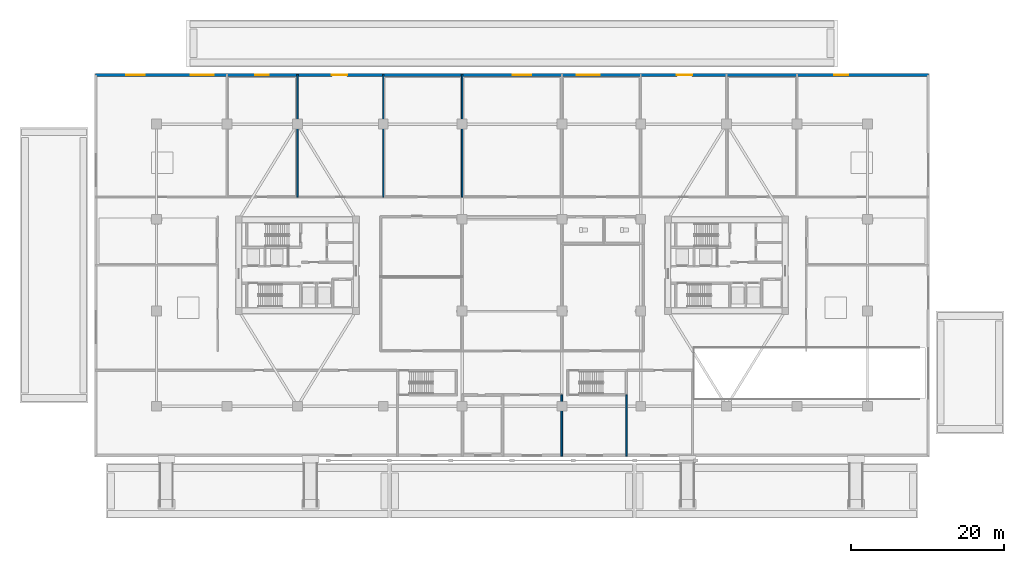
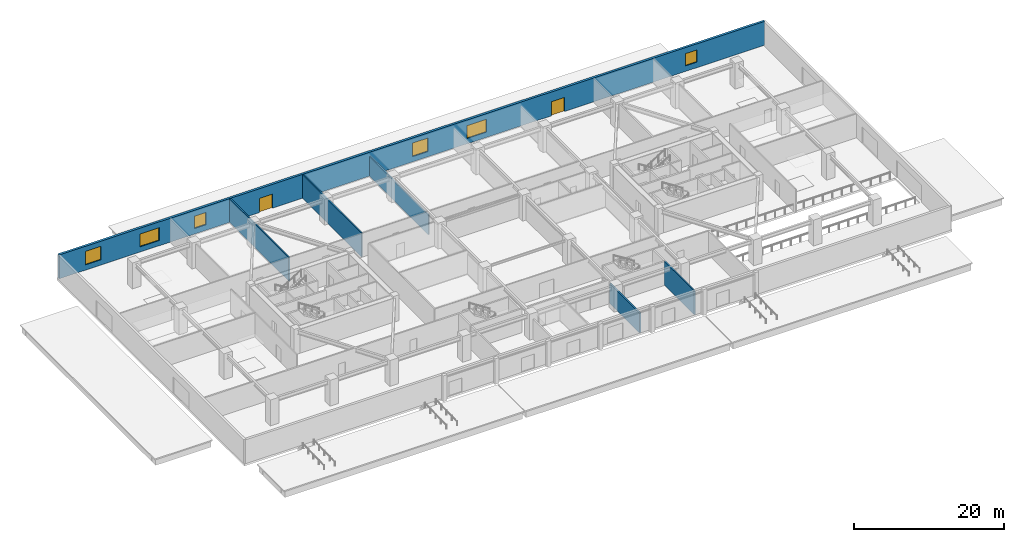
# One storey, part 9 of 22: 6 walls, 6 windows, 2 doors, 8 openings.
"""IFC4 building model written with IfcOpenShell, lengths in metres."""

import ifcopenshell
import ifcopenshell.guid

model = None  # the IFC model being written
_history = None  # IfcOwnerHistory: only IFC2X3 demands one
_inside = {}  # id of a spatial element -> (the spatial element, [elements in it])
_under = {}  # id of a project, library or spatial element -> (it, [spatial elements below it])
_declared = {}  # id of a project -> (the project, [libraries it declares])
_typed = {}  # id of a type object -> (the type object, [elements of that type])
_made_of = {}  # id of a material, layer set ... -> (it, [elements and type objects made of it])


def new_model(schema):
    """Start an empty IFC model of exactly this schema.

    Asked for "IFC4X3", IfcOpenShell would pick the latest addendum, in which some entities
    have other attributes; the version numbers below select the first issue.
    IFC2X3 requires an IfcOwnerHistory on every rooted entity: one is made here for all.
    """
    global model, _history
    if schema == "IFC4X3":
        model = ifcopenshell.file(schema_version=(4, 3, 0, 0))
    else:
        model = ifcopenshell.file(schema=schema)
    _inside.clear()
    _under.clear()
    _declared.clear()
    _typed.clear()
    _made_of.clear()
    _history = None
    if model.schema == "IFC2X3":
        org = make("IfcOrganization", Name="unknown")
        user = make(
            "IfcPersonAndOrganization",
            ThePerson=make("IfcPerson", FamilyName="unknown"),
            TheOrganization=org,
        )
        app = make(
            "IfcApplication",
            ApplicationDeveloper=org,
            Version="unknown",
            ApplicationFullName="unknown",
            ApplicationIdentifier="unknown",
        )
        _history = make(
            "IfcOwnerHistory",
            OwningUser=user,
            OwningApplication=app,
            ChangeAction="ADDED",
            CreationDate=0,
        )
    return model


def make(cls, **values):
    """One entity of the class cls with the attributes given. An attribute that is None is left unset."""
    return model.create_entity(
        cls, **{name: value for name, value in values.items() if value is not None}
    )


def rooted(cls, **values):
    """An entity with a GlobalId (a new one), such as an element, a storey or a relation."""
    return make(cls, GlobalId=ifcopenshell.guid.new(), OwnerHistory=_history, **values)


def si_unit(unit_type, name, prefix=None):
    """IfcSIUnit, for example si_unit("LENGTHUNIT", "METRE", prefix="MILLI")."""
    return make("IfcSIUnit", UnitType=unit_type, Prefix=prefix, Name=name)


def assignment(units):
    """IfcUnitAssignment: the units of a project."""
    return None if units is None else make("IfcUnitAssignment", Units=units)


def point(xyz):
    """IfcCartesianPoint."""
    return None if xyz is None else make("IfcCartesianPoint", Coordinates=xyz)


def direction(xyz):
    """IfcDirection."""
    return None if xyz is None else make("IfcDirection", DirectionRatios=xyz)


def frame(location, z_axis=None, x_axis=None):
    """IfcAxis2Placement3D, a coordinate frame: its origin and axes. An axis left out is left unset."""
    return make(
        "IfcAxis2Placement3D",
        Location=point(location),
        Axis=direction(z_axis),
        RefDirection=direction(x_axis),
    )


def frame_2d(location, x_axis=None):
    """IfcAxis2Placement2D, a coordinate frame in the plane: its origin and x axis."""
    return make(
        "IfcAxis2Placement2D", Location=point(location), RefDirection=direction(x_axis)
    )


def origin():
    """The frame at (0, 0, 0) with its axes left unset."""
    return frame((0.0, 0.0, 0.0))


def place(relative_to, where):
    """IfcLocalPlacement: puts the frame where relative to a parent placement (None: the world)."""
    return make(
        "IfcLocalPlacement", PlacementRelTo=relative_to, RelativePlacement=where
    )


def context(
    kind, dimensions, precision=None, world=None, true_north=None, identifier=None
):
    """IfcGeometricRepresentationContext, for example the 3D "Model" context."""
    return make(
        "IfcGeometricRepresentationContext",
        ContextIdentifier=identifier,
        ContextType=kind,
        CoordinateSpaceDimension=dimensions,
        Precision=precision,
        WorldCoordinateSystem=world,
        TrueNorth=true_north,
    )


def subcontext(parent, identifier, kind, view, scale=None):
    """IfcGeometricRepresentationSubContext, for example "Body" below "Model"."""
    return make(
        "IfcGeometricRepresentationSubContext",
        ContextIdentifier=identifier,
        ContextType=kind,
        ParentContext=parent,
        TargetScale=scale,
        TargetView=view,
    )


def project(units=None, contexts=None):
    """IfcProject with its units and contexts."""
    return rooted(
        "IfcProject",
        Name="project",
        RepresentationContexts=contexts,
        UnitsInContext=assignment(units),
    )


def spatial(cls, under=None, at=None, **own):
    """A site, building, storey or space (cls), placed at a placement, below another one or the project."""
    s = rooted(cls, ObjectPlacement=at, **own)
    if under is not None:
        _under.setdefault(under.id(), (under, []))[1].append(s)
    return s


def profile(cls, at=None, kind="AREA", **sizes):
    """A parametric profile (cls). Its sizes go by their IFC names, for example OverallWidth=200.0."""
    return make(cls, ProfileType=kind, Position=at, **sizes)


def rectangle(**sizes):
    """IfcRectangleProfileDef."""
    return profile("IfcRectangleProfileDef", **sizes)


def extrude(swept, where, along, depth):
    """IfcExtrudedAreaSolid: the profile swept, set in the frame where, extruded along a direction by depth."""
    return make(
        "IfcExtrudedAreaSolid",
        SweptArea=swept,
        Position=where,
        ExtrudedDirection=direction(along),
        Depth=depth,
    )


def shape(context_of_items, identifier, shape_type, items):
    """IfcShapeRepresentation: the items that make up one representation, for example the "Body"."""
    return make(
        "IfcShapeRepresentation",
        ContextOfItems=context_of_items,
        RepresentationIdentifier=identifier,
        RepresentationType=shape_type,
        Items=items,
    )


def source(mapping_origin, context_of_items, identifier, shape_type, items):
    """IfcRepresentationMap: a shape defined once, which mapped items show again and again."""
    return make(
        "IfcRepresentationMap",
        MappingOrigin=mapping_origin,
        MappedRepresentation=shape(context_of_items, identifier, shape_type, items),
    )


def transform(
    local_origin,
    x_axis=None,
    y_axis=None,
    z_axis=None,
    scale=None,
    scale2=None,
    scale3=None,
    uniform=True,
):
    """IfcCartesianTransformationOperator3D, or its non-uniform kind. x_axis, y_axis, z_axis: its Axis1, 2, 3."""
    if uniform:
        return make(
            "IfcCartesianTransformationOperator3D",
            Axis1=direction(x_axis),
            Axis2=direction(y_axis),
            LocalOrigin=point(local_origin),
            Scale=scale,
            Axis3=direction(z_axis),
        )
    return make(
        "IfcCartesianTransformationOperator3DnonUniform",
        Axis1=direction(x_axis),
        Axis2=direction(y_axis),
        LocalOrigin=point(local_origin),
        Scale=scale,
        Axis3=direction(z_axis),
        Scale2=scale2,
        Scale3=scale3,
    )


def mapped(mapping_source, mapping_target):
    """IfcMappedItem: shows the shape of a source again, moved by a transform."""
    return make(
        "IfcMappedItem", MappingSource=mapping_source, MappingTarget=mapping_target
    )


def material(Name=None, Category=None):
    """IfcMaterial."""
    return make("IfcMaterial", Name=Name, Category=Category)


def layer(
    of_material, thickness, ventilated=None, Name=None, Category=None, Priority=None
):
    """IfcMaterialLayer: one layer of a wall or slab, of a material (None: an air gap)."""
    return make(
        "IfcMaterialLayer",
        Material=of_material,
        LayerThickness=thickness,
        IsVentilated=ventilated,
        Name=Name,
        Category=Category,
        Priority=Priority,
    )


def layer_set(layers, Name=None):
    """IfcMaterialLayerSet."""
    return make("IfcMaterialLayerSet", MaterialLayers=layers, LayerSetName=Name)


def made_of(thing, what):
    """Note that an element or type object is made of a material, layer set ...; save() writes the relation."""
    if what is not None:
        _made_of.setdefault(what.id(), (what, []))[1].append(thing)
    return thing


def type_object(cls, material=None, **own):
    """A type object (cls), such as IfcWallType, which elements share."""
    return made_of(rooted(cls, **own), material)


def type_shapes(of_type, sources):
    """Give a type object the sources (RepresentationMaps) that its elements show as mapped items."""
    of_type.RepresentationMaps = sources


def element(
    cls,
    number,
    at=None,
    inside=None,
    cuts=None,
    type_object=None,
    material=None,
    context=None,
    identifier="Body",
    shape_type=None,
    held_by="IfcProductDefinitionShape",
    body=None,
    shapes=None,
    **own,
):
    """One element of the class cls, such as IfcWall. Its Tag is "e" and its number.

    at: its placement. inside: the storey or other place that contains it. cuts: it is an
    opening in that element (IfcRelVoidsElement). A single representation is given by context,
    identifier, shape_type and body (its items); several are given by shapes. held_by: the class
    of the entity that holds the representations. save() writes the other relations.
    """
    e = rooted(cls, Tag="e%d" % number, ObjectPlacement=at, **own)
    if body is not None:
        shapes = [shape(context, identifier, shape_type, body)]
    if shapes is not None:
        e.Representation = make(held_by, Representations=shapes)
    if inside is not None:
        _inside.setdefault(inside.id(), (inside, []))[1].append(e)
    if cuts is not None:
        rooted(
            "IfcRelVoidsElement", RelatingBuildingElement=cuts, RelatedOpeningElement=e
        )
    if type_object is not None:
        _typed.setdefault(type_object.id(), (type_object, []))[1].append(e)
    return made_of(e, material)


def fill(opening, filler):
    """IfcRelFillsElement: the door or window that sits in an opening."""
    return rooted(
        "IfcRelFillsElement",
        RelatingOpeningElement=opening,
        RelatedBuildingElement=filler,
    )


def aggregate(whole, parts):
    """IfcRelAggregates: a whole, such as a stair, and the parts it consists of."""
    return rooted("IfcRelAggregates", RelatingObject=whole, RelatedObjects=parts)


def save(model, path):
    """Write the relations noted so far, then the file.

    IfcRelAggregates (storeys below a building ...), IfcRelContainedInSpatialStructure (elements
    in a storey), IfcRelDefinesByType, IfcRelAssociatesMaterial and IfcRelDeclares: one each for
    every whole, place, type object, material and project.
    """
    for whole, parts in _under.values():
        aggregate(whole, parts)
    for where, things in _inside.values():
        rooted(
            "IfcRelContainedInSpatialStructure",
            RelatedElements=things,
            RelatingStructure=where,
        )
    for kind, things in _typed.values():
        rooted("IfcRelDefinesByType", RelatedObjects=things, RelatingType=kind)
    for what, things in _made_of.values():
        rooted("IfcRelAssociatesMaterial", RelatedObjects=things, RelatingMaterial=what)
    for by, libraries in _declared.values():
        rooted("IfcRelDeclares", RelatingContext=by, RelatedDefinitions=libraries)
    model.write(path)


model = new_model("IFC4")

# Units and contexts
model_context = context("Model", 3, precision=1e-05, world=origin(), true_north=direction((0.0, 1.0)))
body_context = subcontext(model_context, "Body", "Model", "MODEL_VIEW")
ifc_project = project(units=[si_unit("LENGTHUNIT", "METRE"), si_unit("AREAUNIT", "SQUARE_METRE"), si_unit("VOLUMEUNIT", "CUBIC_METRE"), si_unit("PLANEANGLEUNIT", "RADIAN"), si_unit("MASSUNIT", "GRAM", prefix="KILO")], contexts=[model_context])

# Site, building, storey
site_placement = place(None, origin())
site = spatial("IfcSite", under=ifc_project, at=site_placement, CompositionType="ELEMENT")
building_placement = place(site_placement, origin())
building = spatial("IfcBuilding", under=site, at=building_placement, Name="Norrkilde Senior Care Towers", CompositionType="ELEMENT")
storey_placement = place(building_placement, origin())
storey = spatial("IfcBuildingStorey", under=building, at=storey_placement, Name="L00", CompositionType="ELEMENT", Elevation=0.0)

# Wall, openings, doors, windows
ifc_material_1 = material(Name="Precast concrete C45/55", Category="concrete")
ifc_layer_1 = layer(ifc_material_1, 0.360107421875)
ifc_layer_set_1 = layer_set([ifc_layer_1], Name="Precast concrete C45/55")
wall_type_1 = type_object("IfcWallType", Name="Podium Facade Wall 360", PredefinedType="SOLIDWALL", material=ifc_layer_set_1)
shared_shape_1 = source(origin(), body_context, "Body", "SweptSolid", [
    extrude(rectangle(XDim=108.64013671875, YDim=0.360107421875, at=frame_2d((54.320068359375, 0.0))), origin(), (0.0, 0.0, 1.0), 3.8798828125),
])
type_shapes(wall_type_1, [shared_shape_1])
wall_1_placement = place(storey_placement, frame((-54.320068359375, 24.820068359375, 0.0), z_axis=(0.0, 0.0, 1.0), x_axis=(1.0, 0.0, 0.0)))
wall_1 = element("IfcWall", 1, at=wall_1_placement, inside=storey, type_object=wall_type_1, Name="L00 Podium N Facade Wall", PredefinedType="SOLIDWALL", context=body_context, shape_type="MappedRepresentation", body=[
    mapped(shared_shape_1, transform((0.0, 0.0, 0.0), x_axis=(1.0, 0.0, 0.0), y_axis=(0.0, 1.0, 0.0), z_axis=(0.0, 0.0, 1.0), scale=1.0)),
])
opening_1_placement = place(wall_1_placement, frame((30.820068359375, 0.0, 0.0)))
opening_1 = element("IfcOpeningElement", 2, at=opening_1_placement, cuts=wall_1, Name="Opening D-02", PredefinedType="OPENING", context=body_context, shape_type="SweptSolid", body=[
    extrude(rectangle(XDim=2.0, YDim=2.300048828125, at=frame_2d((1.0, 1.14990234375))), frame((0.0, 0.18994140625, 0.0), z_axis=(0.0, -1.0, 0.0), x_axis=(1.0, 0.0, 0.0)), (0.0, 0.0, 1.0), 0.380126953125),
])
opening_2_placement = place(wall_1_placement, frame((75.820068359375, 0.0, 0.0)))
opening_2 = element("IfcOpeningElement", 3, at=opening_2_placement, cuts=wall_1, Name="Opening D-02", PredefinedType="OPENING", context=body_context, shape_type="SweptSolid", body=[
    extrude(rectangle(XDim=2.0, YDim=2.300048828125, at=frame_2d((1.0, 1.14990234375))), frame((0.0, 0.18994140625, 0.0), z_axis=(0.0, -1.0, 0.0), x_axis=(1.0, 0.0, 0.0)), (0.0, 0.0, 1.0), 0.380126953125),
])
opening_3_placement = place(wall_1_placement, frame((4.0, 0.0, 0.85009765625)))
opening_3 = element("IfcOpeningElement", 4, at=opening_3_placement, cuts=wall_1, Name="Opening WN-01", PredefinedType="OPENING", context=body_context, shape_type="SweptSolid", body=[
    extrude(rectangle(XDim=2.39990234375, YDim=2.199951171875, at=frame_2d((1.199951171875, 1.10009765625))), frame((0.0, 0.18994140625, 0.0), z_axis=(0.0, -1.0, 0.0), x_axis=(1.0, 0.0, 0.0)), (0.0, 0.0, 1.0), 0.380126953125),
])
opening_4_placement = place(wall_1_placement, frame((12.39990234375, 0.0, 0.85009765625)))
opening_4 = element("IfcOpeningElement", 5, at=opening_4_placement, cuts=wall_1, Name="Opening WN-02", PredefinedType="OPENING", context=body_context, shape_type="SweptSolid", body=[
    extrude(rectangle(XDim=3.0, YDim=2.10009765625, at=frame_2d((1.5, 1.050048828125))), frame((0.0, 0.18994140625, 0.0), z_axis=(0.0, -1.0, 0.0), x_axis=(1.0, 0.0, 0.0)), (0.0, 0.0, 1.0), 0.380126953125),
])
opening_5_placement = place(wall_1_placement, frame((20.800048828125, 0.0, 0.89990234375)))
opening_5 = element("IfcOpeningElement", 6, at=opening_5_placement, cuts=wall_1, Name="Opening WN-03", PredefinedType="OPENING", context=body_context, shape_type="SweptSolid", body=[
    extrude(rectangle(XDim=1.800048828125, YDim=2.0, at=frame_2d((0.89990234375, 1.0))), frame((0.0, 0.18994140625, 0.0), z_axis=(0.0, -1.0, 0.0), x_axis=(1.0, 0.0, 0.0)), (0.0, 0.0, 1.0), 0.380126953125),
])
opening_6_placement = place(wall_1_placement, frame((54.39990234375, 0.0, 0.85009765625)))
opening_6 = element("IfcOpeningElement", 7, at=opening_6_placement, cuts=wall_1, Name="Opening WN-01", PredefinedType="OPENING", context=body_context, shape_type="SweptSolid", body=[
    extrude(rectangle(XDim=2.39990234375, YDim=2.199951171875, at=frame_2d((1.199951171875, 1.10009765625))), frame((0.0, 0.18994140625, 0.0), z_axis=(0.0, -1.0, 0.0), x_axis=(1.0, 0.0, 0.0)), (0.0, 0.0, 1.0), 0.380126953125),
])
opening_7_placement = place(wall_1_placement, frame((62.800048828125, 0.0, 0.85009765625)))
opening_7 = element("IfcOpeningElement", 8, at=opening_7_placement, cuts=wall_1, Name="Opening WN-02", PredefinedType="OPENING", context=body_context, shape_type="SweptSolid", body=[
    extrude(rectangle(XDim=3.0, YDim=2.10009765625, at=frame_2d((1.5, 1.050048828125))), frame((0.0, 0.18994140625, 0.0), z_axis=(0.0, -1.0, 0.0), x_axis=(1.0, 0.0, 0.0)), (0.0, 0.0, 1.0), 0.380126953125),
])
opening_8_placement = place(wall_1_placement, frame((96.39990234375, 0.0, 0.89990234375)))
opening_8 = element("IfcOpeningElement", 9, at=opening_8_placement, cuts=wall_1, Name="Opening WN-03", PredefinedType="OPENING", context=body_context, shape_type="SweptSolid", body=[
    extrude(rectangle(XDim=1.800048828125, YDim=2.0, at=frame_2d((0.89990234375, 1.0))), frame((0.0, 0.18994140625, 0.0), z_axis=(0.0, -1.0, 0.0), x_axis=(1.0, 0.0, 0.0)), (0.0, 0.0, 1.0), 0.380126953125),
])
ifc_material_2 = material(Name="Galvanised Painted Steel", Category="steel")
door_type = type_object("IfcDoorType", Name="Final Exit Discharge Double Door 2000x2300", OperationType="NOTDEFINED", PredefinedType="DOOR", material=ifc_material_2)
shared_shape_2 = source(origin(), body_context, "Body", "SweptSolid", [
    extrude(rectangle(XDim=2.0, YDim=2.300048828125, at=frame_2d((1.0, 1.14990234375))), frame((0.0, 0.02490234375, 0.0), z_axis=(0.0, -1.0, 0.0), x_axis=(1.0, 0.0, 0.0)), (0.0, 0.0, 1.0), 0.050048828125),
])
type_shapes(door_type, [shared_shape_2])
door_1_placement = place(opening_1_placement, origin())
door_1 = element("IfcDoor", 10, at=door_1_placement, inside=storey, type_object=door_type, Name="L00 North Final Exit Door NW", OperationType="DOUBLE_DOOR_SINGLE_SWING", OverallHeight=2.300048828125, OverallWidth=2.0, PredefinedType="DOOR", context=body_context, shape_type="MappedRepresentation", body=[
    mapped(shared_shape_2, transform((0.0, 0.0, 0.0), x_axis=(1.0, 0.0, 0.0), y_axis=(0.0, 1.0, 0.0), z_axis=(0.0, 0.0, 1.0), scale=1.0)),
])
fill(opening_1, door_1)
door_2_placement = place(opening_2_placement, origin())
door_2 = element("IfcDoor", 11, at=door_2_placement, inside=storey, type_object=door_type, Name="L00 North Final Exit Door NE", OperationType="DOUBLE_DOOR_SINGLE_SWING", OverallHeight=2.300048828125, OverallWidth=2.0, PredefinedType="DOOR", context=body_context, shape_type="MappedRepresentation", body=[
    mapped(shared_shape_2, transform((0.0, 0.0, 0.0), x_axis=(1.0, 0.0, 0.0), y_axis=(0.0, 1.0, 0.0), z_axis=(0.0, 0.0, 1.0), scale=1.0)),
])
fill(opening_2, door_2)
ifc_material_3 = material(Name="Triple Low-E Insulated Glazing", Category="glass")
window_type_1 = type_object("IfcWindowType", Name="Podium Clinic Triple Window 2400x2200", PartitioningType="SINGLE_PANEL", PredefinedType="WINDOW", material=ifc_material_3)
shared_shape_3 = source(origin(), body_context, "Body", "SweptSolid", [
    extrude(rectangle(XDim=2.39990234375, YDim=2.199951171875, at=frame_2d((1.199951171875, 1.10009765625))), frame((0.0, 0.030029296875, 0.0), z_axis=(0.0, -1.0, 0.0), x_axis=(1.0, 0.0, 0.0)), (0.0, 0.0, 1.0), 0.06005859375),
])
type_shapes(window_type_1, [shared_shape_3])
window_1_placement = place(opening_3_placement, origin())
window_1 = element("IfcWindow", 12, at=window_1_placement, inside=storey, type_object=window_type_1, Name="L00 N Window 01", OverallHeight=2.199951171875, OverallWidth=2.39990234375, PartitioningType="SINGLE_PANEL", PredefinedType="WINDOW", context=body_context, shape_type="MappedRepresentation", body=[
    mapped(shared_shape_3, transform((0.0, 0.0, 0.0), x_axis=(1.0, 0.0, 0.0), y_axis=(0.0, 1.0, 0.0), z_axis=(0.0, 0.0, 1.0), scale=1.0)),
])
fill(opening_3, window_1)
window_2_placement = place(opening_6_placement, origin())
window_2 = element("IfcWindow", 13, at=window_2_placement, inside=storey, type_object=window_type_1, Name="L00 N Window 07", OverallHeight=2.199951171875, OverallWidth=2.39990234375, PartitioningType="SINGLE_PANEL", PredefinedType="WINDOW", context=body_context, shape_type="MappedRepresentation", body=[
    mapped(shared_shape_3, transform((0.0, 0.0, 0.0), x_axis=(1.0, 0.0, 0.0), y_axis=(0.0, 1.0, 0.0), z_axis=(0.0, 0.0, 1.0), scale=1.0)),
])
fill(opening_6, window_2)
window_type_2 = type_object("IfcWindowType", Name="Podium Rehab Ribbon Window 3000x2100", PartitioningType="SINGLE_PANEL", PredefinedType="WINDOW", material=ifc_material_3)
shared_shape_4 = source(origin(), body_context, "Body", "SweptSolid", [
    extrude(rectangle(XDim=3.0, YDim=2.10009765625, at=frame_2d((1.5, 1.050048828125))), frame((0.0, 0.030029296875, 0.0), z_axis=(0.0, -1.0, 0.0), x_axis=(1.0, 0.0, 0.0)), (0.0, 0.0, 1.0), 0.06005859375),
])
type_shapes(window_type_2, [shared_shape_4])
window_3_placement = place(opening_4_placement, origin())
window_3 = element("IfcWindow", 14, at=window_3_placement, inside=storey, type_object=window_type_2, Name="L00 N Window 02", OverallHeight=2.10009765625, OverallWidth=3.0, PartitioningType="SINGLE_PANEL", PredefinedType="WINDOW", context=body_context, shape_type="MappedRepresentation", body=[
    mapped(shared_shape_4, transform((0.0, 0.0, 0.0), x_axis=(1.0, 0.0, 0.0), y_axis=(0.0, 1.0, 0.0), z_axis=(0.0, 0.0, 1.0), scale=1.0)),
])
fill(opening_4, window_3)
window_4_placement = place(opening_7_placement, origin())
window_4 = element("IfcWindow", 15, at=window_4_placement, inside=storey, type_object=window_type_2, Name="L00 N Window 08", OverallHeight=2.10009765625, OverallWidth=3.0, PartitioningType="SINGLE_PANEL", PredefinedType="WINDOW", context=body_context, shape_type="MappedRepresentation", body=[
    mapped(shared_shape_4, transform((0.0, 0.0, 0.0), x_axis=(1.0, 0.0, 0.0), y_axis=(0.0, 1.0, 0.0), z_axis=(0.0, 0.0, 1.0), scale=1.0)),
])
fill(opening_7, window_4)
window_type_3 = type_object("IfcWindowType", Name="Podium Therapy Garden Window 1800x2000", PartitioningType="SINGLE_PANEL", PredefinedType="WINDOW", material=ifc_material_3)
shared_shape_5 = source(origin(), body_context, "Body", "SweptSolid", [
    extrude(rectangle(XDim=1.800048828125, YDim=2.0, at=frame_2d((0.89990234375, 1.0))), frame((0.0, 0.030029296875, 0.0), z_axis=(0.0, -1.0, 0.0), x_axis=(1.0, 0.0, 0.0)), (0.0, 0.0, 1.0), 0.06005859375),
])
type_shapes(window_type_3, [shared_shape_5])
window_5_placement = place(opening_5_placement, origin())
window_5 = element("IfcWindow", 16, at=window_5_placement, inside=storey, type_object=window_type_3, Name="L00 N Window 03", OverallHeight=2.0, OverallWidth=1.800048828125, PartitioningType="SINGLE_PANEL", PredefinedType="WINDOW", context=body_context, shape_type="MappedRepresentation", body=[
    mapped(shared_shape_5, transform((0.0, 0.0, 0.0), x_axis=(1.0, 0.0, 0.0), y_axis=(0.0, 1.0, 0.0), z_axis=(0.0, 0.0, 1.0), scale=1.0)),
])
fill(opening_5, window_5)
window_6_placement = place(opening_8_placement, origin())
window_6 = element("IfcWindow", 17, at=window_6_placement, inside=storey, type_object=window_type_3, Name="L00 N Window 12", OverallHeight=2.0, OverallWidth=1.800048828125, PartitioningType="SINGLE_PANEL", PredefinedType="WINDOW", context=body_context, shape_type="MappedRepresentation", body=[
    mapped(shared_shape_5, transform((0.0, 0.0, 0.0), x_axis=(1.0, 0.0, 0.0), y_axis=(0.0, 1.0, 0.0), z_axis=(0.0, 0.0, 1.0), scale=1.0)),
])
fill(opening_8, window_6)

# Walls
ifc_material_4 = material(Name="Gypsum Acoustic Board")
ifc_layer_2 = layer(ifc_material_4, 0.18994140625)
ifc_layer_set_2 = layer_set([ifc_layer_2], Name="Gypsum Acoustic Board")
wall_type_2 = type_object("IfcWallType", Name="Unit Demising Acoustic Wall 190", PredefinedType="PARTITIONING", material=ifc_layer_set_2)
shared_shape_6 = source(origin(), body_context, "Body", "SweptSolid", [
    extrude(rectangle(XDim=16.0, YDim=0.18994140625, at=frame_2d((8.0, 0.0))), origin(), (0.0, 0.0, 1.0), 3.864990234375),
])
for number, where, z_axis, x_axis, name in (
    (18, (-28.0, 8.89990234375, 0.0), (0.0, 0.0, 1.0), (0.0, 1.0, 0.0), "WL-INT-L00-POD-NPV2"),
    (19, (-16.800048828125, 8.89990234375, 0.0), (0.0, 0.0, 1.0), (0.0, 1.0, 0.0), "WL-INT-L00-POD-NPV3"),
):
    element("IfcWall", number, at=place(storey_placement, frame(where, z_axis=z_axis, x_axis=x_axis)), inside=storey, type_object=wall_type_2, Name=name, PredefinedType="PARTITIONING", context=body_context, shape_type="MappedRepresentation", body=[
        mapped(shared_shape_6, transform((0.0, 0.0, 0.0), x_axis=(1.0, 0.0, 0.0), y_axis=(0.0, 1.0, 0.0), z_axis=(0.0, 0.0, 1.0), scale=1.0)),
    ])
shared_shape_7 = source(origin(), body_context, "Body", "SweptSolid", [
    extrude(rectangle(XDim=16.0, YDim=0.18994140625, at=frame_2d((8.0, 0.0))), origin(), (0.0, 0.0, 1.0), 3.215087890625),
])
type_shapes(wall_type_2, [shared_shape_6, shared_shape_7])
wall_2_placement = place(storey_placement, frame((-6.5, 8.89990234375, 0.0), z_axis=(0.0, 0.0, 1.0), x_axis=(0.0, 1.0, 0.0)))
element("IfcWall", 20, at=wall_2_placement, inside=storey, type_object=wall_type_2, Name="WL-INT-L00-POD-NPV4", PredefinedType="PARTITIONING", context=body_context, shape_type="MappedRepresentation", body=[
    mapped(shared_shape_7, transform((0.0, 0.0, 0.0), x_axis=(1.0, 0.0, 0.0), y_axis=(0.0, 1.0, 0.0), z_axis=(0.0, 0.0, 1.0), scale=1.0)),
])
ifc_material_5 = material(Name="Concrete C45/55", Category="concrete")
ifc_layer_3 = layer(ifc_material_5, 0.239990234375)
ifc_layer_set_3 = layer_set([ifc_layer_3], Name="Concrete C45/55")
wall_type_3 = type_object("IfcWallType", Name="Lift and Plant Rated Enclosure Partition 240", PredefinedType="PARTITIONING", material=ifc_layer_set_3)
shared_shape_8 = source(origin(), body_context, "Body", "SweptSolid", [
    extrude(rectangle(XDim=7.97998046875, YDim=0.239990234375, at=frame_2d((3.989990234375, 0.0))), origin(), (0.0, 0.0, 1.0), 3.215087890625),
])
type_shapes(wall_type_3, [shared_shape_8])
wall_3_placement = place(storey_placement, frame((6.5, -24.89990234375, 0.0), z_axis=(0.0, 0.0, 1.0), x_axis=(0.0, 1.0, 0.0)))
element("IfcWall", 21, at=wall_3_placement, inside=storey, type_object=wall_type_3, Name="WL-INT-L00-FCCE", PredefinedType="PARTITIONING", context=body_context, shape_type="MappedRepresentation", body=[
    mapped(shared_shape_8, transform((0.0, 0.0, 0.0), x_axis=(1.0, 0.0, 0.0), y_axis=(0.0, 1.0, 0.0), z_axis=(0.0, 0.0, 1.0), scale=1.0)),
])
ifc_layer_4 = layer(ifc_material_5, 0.2099609375)
ifc_layer_set_4 = layer_set([ifc_layer_4], Name="Concrete C45/55")
wall_type_4 = type_object("IfcWallType", Name="Firefighting Lobby Wall 210", PredefinedType="PARTITIONING", material=ifc_layer_set_4)
shared_shape_9 = source(origin(), body_context, "Body", "SweptSolid", [
    extrude(rectangle(XDim=7.97998046875, YDim=0.2099609375, at=frame_2d((3.989990234375, 0.0))), origin(), (0.0, 0.0, 1.0), 3.864990234375),
])
type_shapes(wall_type_4, [shared_shape_9])
wall_4_placement = place(storey_placement, frame((14.919921875, -24.89990234375, 0.0), z_axis=(0.0, 0.0, 1.0), x_axis=(0.0, 1.0, 0.0)))
element("IfcWall", 22, at=wall_4_placement, inside=storey, type_object=wall_type_4, Name="WL-INT-L00-EP2E", PredefinedType="PARTITIONING", context=body_context, shape_type="MappedRepresentation", body=[
    mapped(shared_shape_9, transform((0.0, 0.0, 0.0), x_axis=(1.0, 0.0, 0.0), y_axis=(0.0, 1.0, 0.0), z_axis=(0.0, 0.0, 1.0), scale=1.0)),
])

save(model, "model.ifc")
